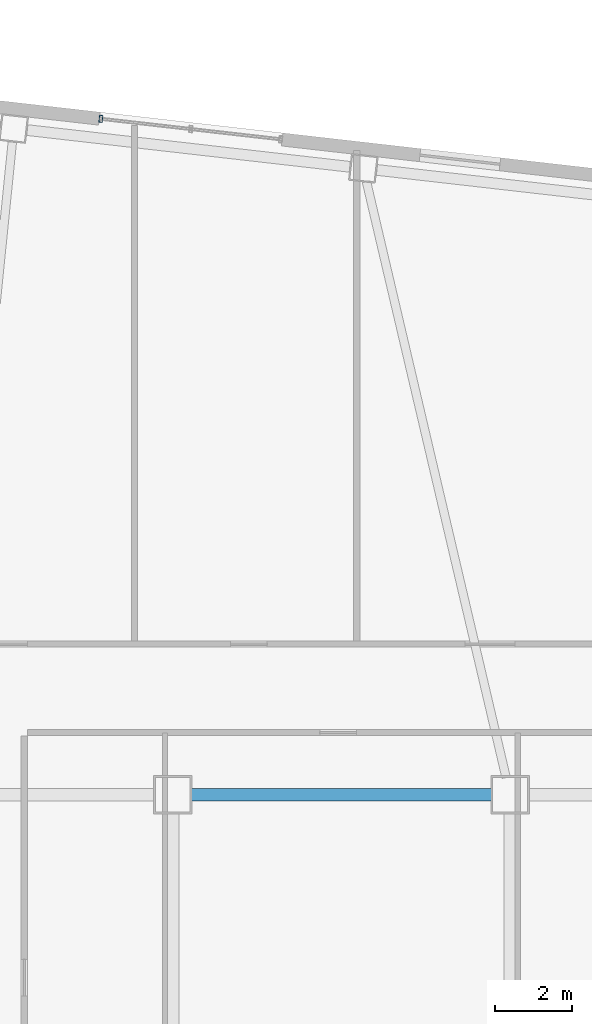
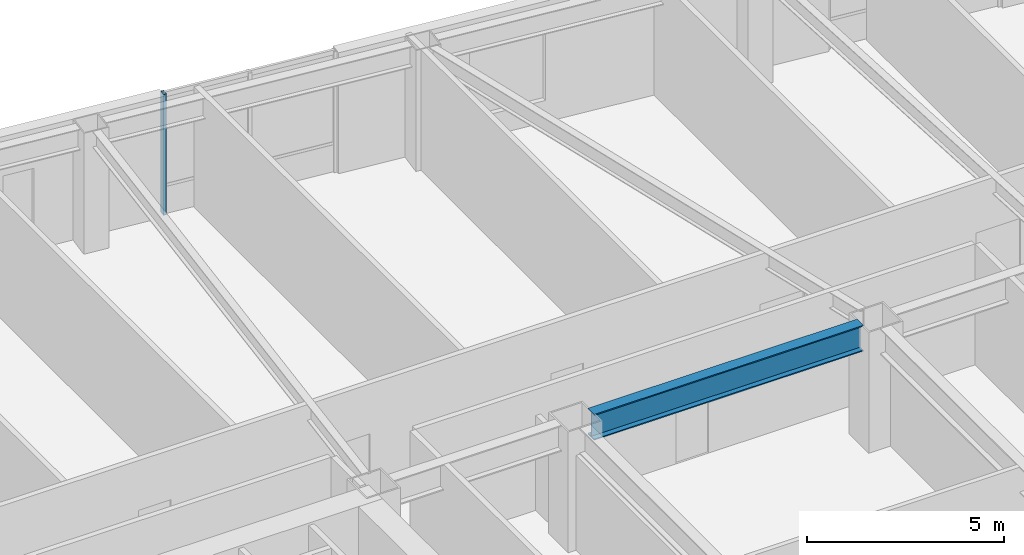
# One storey, part 6 of 21: 1 beam, 1 member, 1 element without a shape of its own.
"""IFC4 building model written with IfcOpenShell, lengths in metres."""

from ifc_helpers import new_model, si_unit, direction, frame, origin, origin_2d, place, context, subcontext, project, spatial, hollow_rectangle, i_section, extrude, material, layer, layer_set, material_profile, profile_set, type_object, element, aggregate, save


model = new_model("IFC4")

# Units and contexts
model_context = context("Model", 3, precision=1e-05, world=origin(), true_north=direction((0.0, 1.0)))
body_context = subcontext(model_context, "Body", "Model", "MODEL_VIEW")
ifc_project = project(units=[si_unit("LENGTHUNIT", "METRE"), si_unit("AREAUNIT", "SQUARE_METRE"), si_unit("VOLUMEUNIT", "CUBIC_METRE"), si_unit("PLANEANGLEUNIT", "RADIAN"), si_unit("MASSUNIT", "GRAM", prefix="KILO")], contexts=[model_context])

# Site, building, storey
site_placement = place(None, origin())
site = spatial("IfcSite", under=ifc_project, at=site_placement, CompositionType="ELEMENT")
building_placement = place(site_placement, origin())
building = spatial("IfcBuilding", under=site, at=building_placement, Name="Tavrogorsk Clinical Tower", CompositionType="ELEMENT")
storey_placement = place(building_placement, frame((0.0, 0.0, 137.39990234375)))
storey = spatial("IfcBuildingStorey", under=building, at=storey_placement, Name="L31", CompositionType="ELEMENT", Elevation=137.39990234375)

# Curtain wall, member
ifc_material_1 = material(Name="Anodised aluminium and triple IGU glazing", Category="aluminium")
ifc_layer = layer(ifc_material_1, 0.179931640625)
ifc_layer_set = layer_set([ifc_layer], Name="Anodised aluminium and triple IGU glazing")
curtain_wall_type = type_object("IfcCurtainWallType", Name="CW2_NorthSlot", PredefinedType="NOTDEFINED", material=ifc_layer_set)
curtain_wall_placement = place(storey_placement, origin())
curtain_wall = element("IfcCurtainWall", 1, at=curtain_wall_placement, inside=storey, type_object=curtain_wall_type, Name="L31 Curtain Wall CW-L31-N-SLOT-1", PredefinedType="NOTDEFINED")
ifc_material_2 = material(Name="Anodised aluminium alloy AW-6060", Category="aluminium")
ifc_material_profile_1 = material_profile(ifc_material_2, hollow_rectangle(XDim=0.090087890625, YDim=0.179931640625, WallThickness=0.00634765625, at=origin_2d()), Name="RHS-180x90x6.3")
ifc_profile_set_1 = profile_set([ifc_material_profile_1], Name="Anodised aluminium alloy AW-6060")
member_type = type_object("IfcMemberType", Name="CwMullion_180x90", PredefinedType="MULLION", material=ifc_profile_set_1)
member_placement = place(storey_placement, frame((-6.273681640625, 23.9775390625, 0.0), z_axis=(0.0, 0.0, 1.0), x_axis=(-0.993571858269, 0.113203191016, 0.0)))
member = element("IfcMember", 2, at=member_placement, type_object=member_type, Name="CW-L31-N-SLOT-1 Mullion 3", PredefinedType="MULLION", context=body_context, shape_type="SweptSolid", body=[
    extrude(hollow_rectangle(XDim=0.090087890625, YDim=0.179931640625, WallThickness=0.00634765625, at=origin_2d()), origin(), (0.0, 0.0, 1.0), 3.739990234375),
])
aggregate(curtain_wall, [member])

# Beam
ifc_material_3 = material(Name="Structural steel S390", Category="steel")
ifc_material_profile_2 = material_profile(ifc_material_3, i_section(OverallWidth=0.320068359375, OverallDepth=0.800048828125, WebThickness=0.02001953125, FlangeThickness=0.033935546875, at=origin_2d()), Name="B-800x320x20x34")
ifc_profile_set_2 = profile_set([ifc_material_profile_2], Name="Structural steel S390")
beam_type = type_object("IfcBeamType", Name="PrimaryGirder_B800", PredefinedType="USERDEFINED", material=ifc_profile_set_2)
beam_placement = place(storey_placement, frame((-3.93994140625, 6.35009765625, 3.340087890625), z_axis=(1.0, 0.0, 0.0), x_axis=(0.0, 1.0, 0.0)))
element("IfcBeam", 3, at=beam_placement, inside=storey, type_object=beam_type, Name="L31 Primary Spine Girder MG-04", ObjectType="GIRDER", PredefinedType="USERDEFINED", context=body_context, shape_type="SweptSolid", body=[
    extrude(i_section(OverallWidth=0.320068359375, OverallDepth=0.800048828125, WebThickness=0.02001953125, FlangeThickness=0.033935546875, at=origin_2d()), origin(), (0.0, 0.0, 1.0), 7.8798828125),
])

save(model, "model.ifc")
